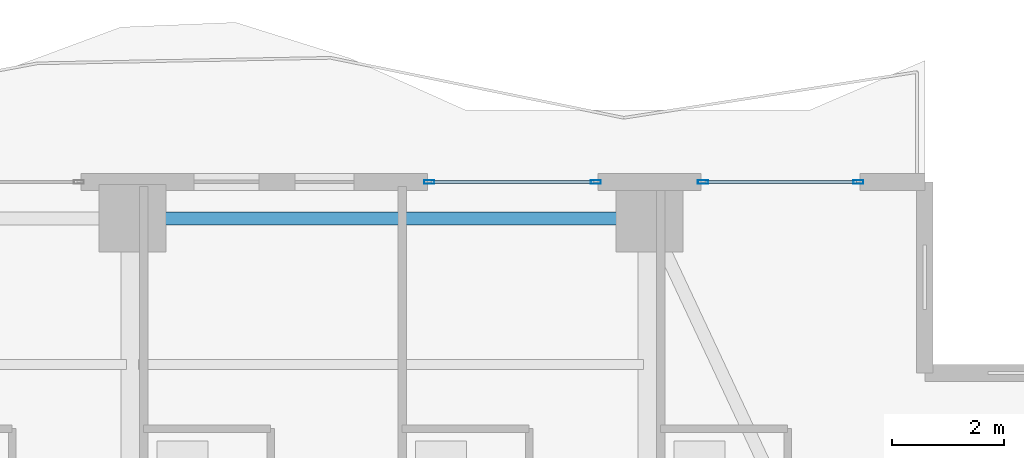
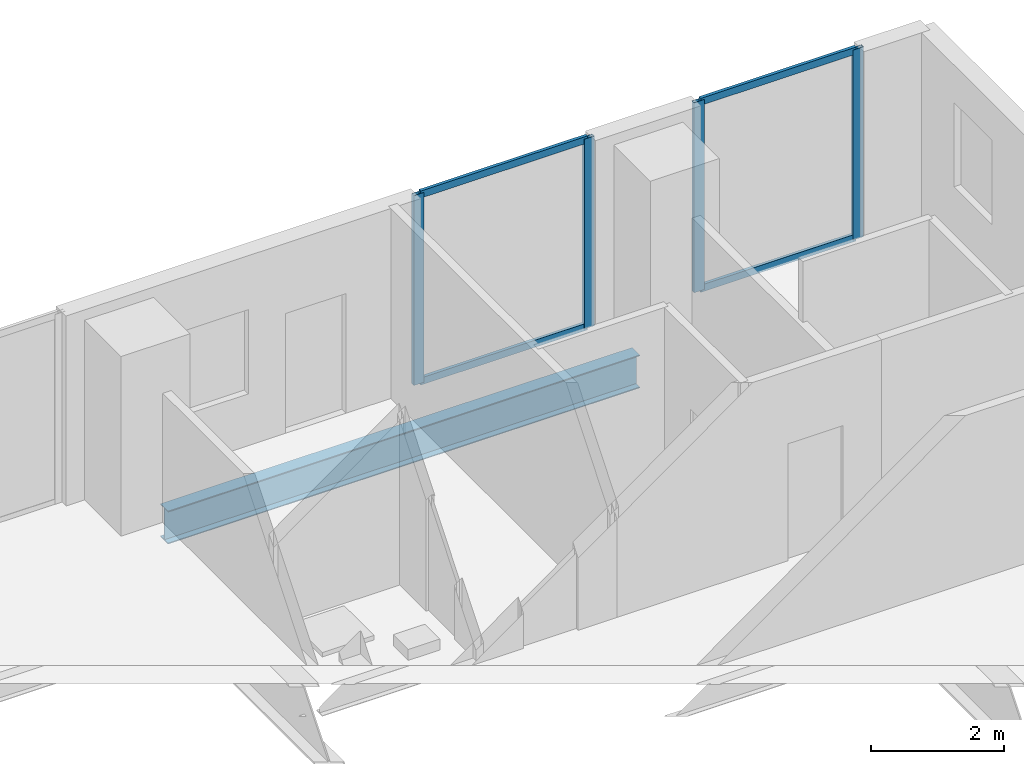
# One storey, part 22 of 33: 8 members, 1 beam, 2 elements without a shape of their own.
"""IFC4 building model written with IfcOpenShell, lengths in metres."""

from ifc_helpers import new_model, si_unit, direction, frame, origin, origin_2d, place, context, subcontext, project, spatial, hollow_rectangle, i_section, extrude, material, layer, layer_set, material_profile, profile_set, type_object, element, aggregate, save


model = new_model("IFC4")

# Units and contexts
model_context = context("Model", 3, precision=1e-05, world=origin(), true_north=direction((0.0, 1.0)))
body_context = subcontext(model_context, "Body", "Model", "MODEL_VIEW")
ifc_project = project(units=[si_unit("LENGTHUNIT", "METRE"), si_unit("AREAUNIT", "SQUARE_METRE"), si_unit("VOLUMEUNIT", "CUBIC_METRE"), si_unit("PLANEANGLEUNIT", "RADIAN"), si_unit("MASSUNIT", "GRAM", prefix="KILO")], contexts=[model_context])

# Site, building, storey
site_placement = place(None, origin())
site = spatial("IfcSite", under=ifc_project, at=site_placement, CompositionType="ELEMENT")
building_placement = place(site_placement, origin())
building = spatial("IfcBuilding", under=site, at=building_placement, Name="Zuhayl Quay Hotel", CompositionType="ELEMENT")
storey_placement = place(building_placement, frame((0.0, 0.0, 229.89990234375)))
storey = spatial("IfcBuildingStorey", under=building, at=storey_placement, Name="L58", CompositionType="ELEMENT", Elevation=229.89990234375)

# Beam
ifc_material_1 = material(Name="Steel ASTM A992 Grade 50", Category="steel")
ifc_material_profile_1 = material_profile(ifc_material_1, i_section(OverallWidth=0.22802734375, OverallDepth=0.60693359375, WebThickness=0.01123046875, FlangeThickness=0.017333984375, at=origin_2d()), Name="W24X76")
ifc_profile_set_1 = profile_set([ifc_material_profile_1], Name="Steel ASTM A992 Grade 50")
beam_type = type_object("IfcBeamType", Name="BM_B3_W24X76", PredefinedType="BEAM", material=ifc_profile_set_1)
beam_placement = place(storey_placement, frame((13.300048828125, 32.949951171875, -0.5234375), z_axis=(-1.0, 0.0, 0.0), x_axis=(0.0, -1.0, 0.0)))
element("IfcBeam", 1, at=beam_placement, inside=storey, type_object=beam_type, Name="L58 Floor Beam RG_L58_07", PredefinedType="BEAM", context=body_context, shape_type="SweptSolid", body=[
    extrude(i_section(OverallWidth=0.22802734375, OverallDepth=0.60693359375, WebThickness=0.01123046875, FlangeThickness=0.017333984375, at=origin_2d()), origin(), (0.0, 0.0, 1.0), 8.199951171875),
])

# Curtain wall, members
ifc_material_2 = material(Name="Anodised Aluminium 6063-T6", Category="aluminium")
ifc_layer = layer(ifc_material_2, 0.175048828125, Name="Anodised Aluminium 6063-T6", Category="aluminium")
ifc_layer_set = layer_set([ifc_layer], Name="Anodised Aluminium 6063-T6")
curtain_wall_type = type_object("IfcCurtainWallType", Name="CW_SYS_Z3", PredefinedType="USERDEFINED", material=ifc_layer_set)
curtain_wall_1_placement = place(storey_placement, origin())
curtain_wall_1 = element("IfcCurtainWall", 2, at=curtain_wall_1_placement, inside=storey, type_object=curtain_wall_type, Name="L58 Curtain Wall ENV_L58_N_CW5", ObjectType="UNITISED CURTAIN WALL", PredefinedType="USERDEFINED")
ifc_material_3 = material(Name="Black-anodised aluminium 6063-T6", Category="aluminium")
ifc_material_profile_2 = material_profile(ifc_material_3, hollow_rectangle(XDim=0.06494140625, YDim=0.179931640625, WallThickness=0.00341796875, at=origin_2d()), Name="ALU180X65")
ifc_profile_set_2 = profile_set([ifc_material_profile_2], Name="Black-anodised aluminium 6063-T6")
member_type_1 = type_object("IfcMemberType", Name="MB_CW_MUL_180", PredefinedType="MULLION", material=ifc_profile_set_2)
member_1_placement = place(storey_placement, frame((9.882568359375, 33.60009765625, 0.0), z_axis=(0.0, 0.0, 1.0), x_axis=(0.0, 1.0, 0.0)))
member_1 = element("IfcMember", 3, at=member_1_placement, type_object=member_type_1, Name="CW-Z3 mullion 1", PredefinedType="MULLION", context=body_context, shape_type="SweptSolid", body=[
    extrude(hollow_rectangle(XDim=0.06494140625, YDim=0.179931640625, WallThickness=0.00341796875, at=origin_2d()), origin(), (0.0, 0.0, 1.0), 3.489990234375),
])
member_2_placement = place(storey_placement, frame((12.847412109375, 33.60009765625, 0.0), z_axis=(0.0, 0.0, 1.0), x_axis=(0.0, 1.0, 0.0)))
member_2 = element("IfcMember", 4, at=member_2_placement, type_object=member_type_1, Name="CW-Z3 mullion 2", PredefinedType="MULLION", context=body_context, shape_type="SweptSolid", body=[
    extrude(hollow_rectangle(XDim=0.06494140625, YDim=0.179931640625, WallThickness=0.00341796875, at=origin_2d()), origin(), (0.0, 0.0, 1.0), 3.489990234375),
])

curtain_wall_2_placement = place(storey_placement, origin())
curtain_wall_2 = element("IfcCurtainWall", 5, at=curtain_wall_2_placement, inside=storey, type_object=curtain_wall_type, Name="L58 Curtain Wall ENV_L58_N_CW6", ObjectType="UNITISED CURTAIN WALL", PredefinedType="USERDEFINED")
member_3_placement = place(storey_placement, frame((14.75244140625, 33.60009765625, 0.0), z_axis=(0.0, 0.0, 1.0), x_axis=(0.0, 1.0, 0.0)))
member_3 = element("IfcMember", 6, at=member_3_placement, type_object=member_type_1, Name="CW-Z3 mullion 1", PredefinedType="MULLION", context=body_context, shape_type="SweptSolid", body=[
    extrude(hollow_rectangle(XDim=0.06494140625, YDim=0.179931640625, WallThickness=0.00341796875, at=origin_2d()), origin(), (0.0, 0.0, 1.0), 3.489990234375),
])
member_4_placement = place(storey_placement, frame((17.517578125, 33.60009765625, 0.0), z_axis=(0.0, 0.0, 1.0), x_axis=(0.0, 1.0, 0.0)))
member_4 = element("IfcMember", 7, at=member_4_placement, type_object=member_type_1, Name="CW-Z3 mullion 2", PredefinedType="MULLION", context=body_context, shape_type="SweptSolid", body=[
    extrude(hollow_rectangle(XDim=0.06494140625, YDim=0.179931640625, WallThickness=0.00341796875, at=origin_2d()), origin(), (0.0, 0.0, 1.0), 3.489990234375),
])

# Member
ifc_material_profile_3 = material_profile(ifc_material_3, hollow_rectangle(XDim=0.054931640625, YDim=0.1298828125, WallThickness=0.0029296875, at=origin_2d()), Name="ALU130X55")
ifc_profile_set_3 = profile_set([ifc_material_profile_3], Name="Black-anodised aluminium 6063-T6")
member_type_2 = type_object("IfcMemberType", Name="MB_CW_TRN_130", PredefinedType="USERDEFINED", material=ifc_profile_set_3)
member_5_placement = place(storey_placement, frame((9.9150390625, 33.60009765625, 0.027587890625), z_axis=(1.0, 0.0, 0.0), x_axis=(0.0, 1.0, 0.0)))
member_5 = element("IfcMember", 8, at=member_5_placement, type_object=member_type_2, Name="CW-Z3 transom 1.1", ObjectType="TRANSOM", PredefinedType="USERDEFINED", context=body_context, shape_type="SweptSolid", body=[
    extrude(hollow_rectangle(XDim=0.054931640625, YDim=0.1298828125, WallThickness=0.0029296875, at=origin_2d()), origin(), (0.0, 0.0, 1.0), 2.89990234375),
])

member_6_placement = place(storey_placement, frame((9.9150390625, 33.60009765625, 3.462646484375), z_axis=(1.0, 0.0, 0.0), x_axis=(0.0, 1.0, 0.0)))
member_6 = element("IfcMember", 9, at=member_6_placement, type_object=member_type_2, Name="CW-Z3 transom 1.2", ObjectType="TRANSOM", PredefinedType="USERDEFINED", context=body_context, shape_type="SweptSolid", body=[
    extrude(hollow_rectangle(XDim=0.054931640625, YDim=0.1298828125, WallThickness=0.0029296875, at=origin_2d()), origin(), (0.0, 0.0, 1.0), 2.89990234375),
])

aggregate(curtain_wall_1, [member_1, member_2, member_5, member_6])

member_7_placement = place(storey_placement, frame((14.784912109375, 33.60009765625, 0.027587890625), z_axis=(1.0, 0.0, 0.0), x_axis=(0.0, 1.0, 0.0)))
member_7 = element("IfcMember", 10, at=member_7_placement, type_object=member_type_2, Name="CW-Z3 transom 1.1", ObjectType="TRANSOM", PredefinedType="USERDEFINED", context=body_context, shape_type="SweptSolid", body=[
    extrude(hollow_rectangle(XDim=0.054931640625, YDim=0.1298828125, WallThickness=0.0029296875, at=origin_2d()), origin(), (0.0, 0.0, 1.0), 2.7001953125),
])

member_8_placement = place(storey_placement, frame((14.784912109375, 33.60009765625, 3.462646484375), z_axis=(1.0, 0.0, 0.0), x_axis=(0.0, 1.0, 0.0)))
member_8 = element("IfcMember", 11, at=member_8_placement, type_object=member_type_2, Name="CW-Z3 transom 1.2", ObjectType="TRANSOM", PredefinedType="USERDEFINED", context=body_context, shape_type="SweptSolid", body=[
    extrude(hollow_rectangle(XDim=0.054931640625, YDim=0.1298828125, WallThickness=0.0029296875, at=origin_2d()), origin(), (0.0, 0.0, 1.0), 2.7001953125),
])

aggregate(curtain_wall_2, [member_3, member_4, member_7, member_8])

save(model, "model.ifc")
